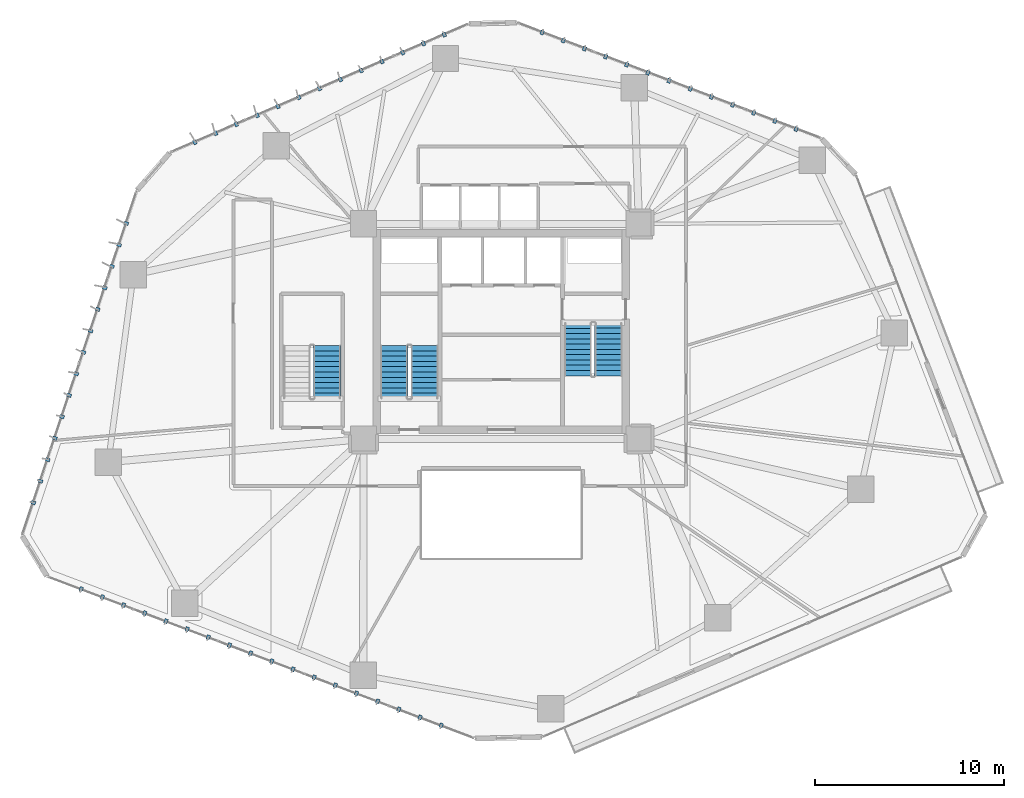
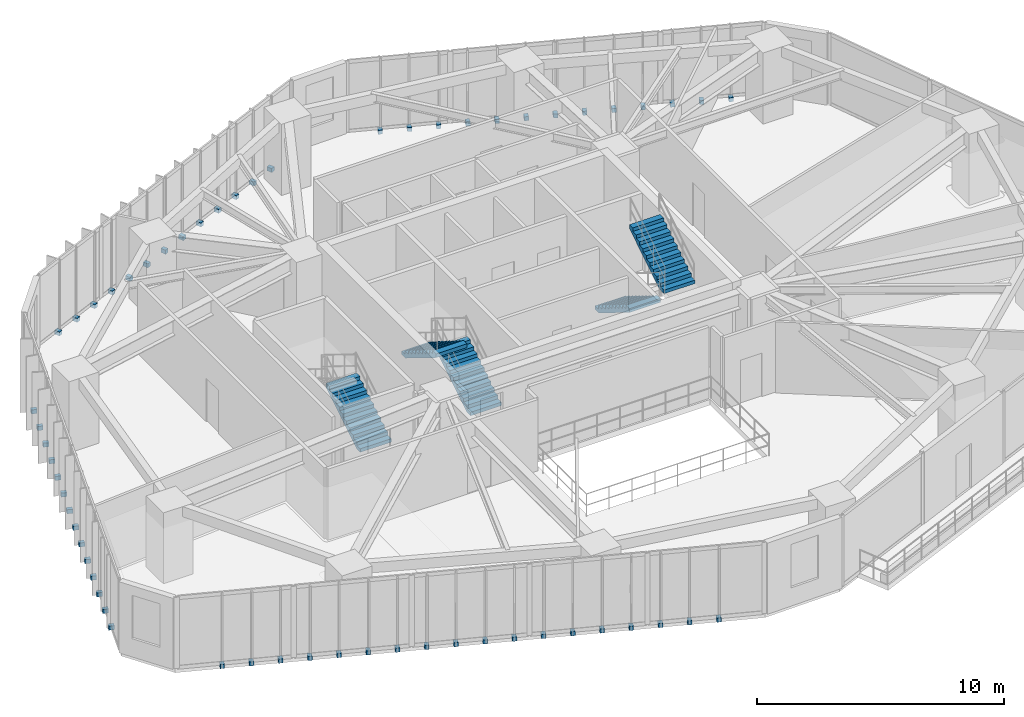
# One storey, part 20 of 23: 58 discrete accessories, 5 stair flights, 3 elements without a shape of their own.
"""IFC4 building model written with IfcOpenShell, lengths in metres."""

from ifc_helpers import new_model, si_unit, direction, frame, origin, origin_2d, place, context, subcontext, project, spatial, polyline, rectangle, outline, extrude, source, transform, mapped, material, layer, layer_set, type_object, type_shapes, element, aggregate, save


model = new_model("IFC4")

# Units and contexts
model_context = context("Model", 3, precision=1e-05, world=origin(), true_north=direction((0.0, 1.0)))
body_context = subcontext(model_context, "Body", "Model", "MODEL_VIEW")
ifc_project = project(units=[si_unit("LENGTHUNIT", "METRE"), si_unit("AREAUNIT", "SQUARE_METRE"), si_unit("VOLUMEUNIT", "CUBIC_METRE"), si_unit("PLANEANGLEUNIT", "RADIAN"), si_unit("MASSUNIT", "GRAM", prefix="KILO")], contexts=[model_context])

# Site, building, storey
site_placement = place(None, origin())
site = spatial("IfcSite", under=ifc_project, at=site_placement, CompositionType="ELEMENT")
building_placement = place(site_placement, origin())
building = spatial("IfcBuilding", under=site, at=building_placement, Name="Talar Marvaseh", CompositionType="ELEMENT")
storey_placement = place(building_placement, frame((0.0, 0.0, 27.800048828125)))
storey = spatial("IfcBuildingStorey", under=building, at=storey_placement, Name="L06", CompositionType="ELEMENT", Elevation=27.800048828125)

# Stair, stair flights
ifc_material_1 = material(Name="Concrete C40/50", Category="concrete")
stair_type = type_object("IfcStairType", Name="Reinforced Concrete Half-Turn Exit Stair Type B", PredefinedType="HALF_TURN_STAIR", material=ifc_material_1)
stair_1_placement = place(storey_placement, origin())
stair_1 = element("IfcStair", 1, at=stair_1_placement, inside=storey, type_object=stair_type, Name="L06 Tower West Core Exit Stair", PredefinedType="HALF_TURN_STAIR")
ifc_layer = layer(ifc_material_1, 0.159912109375)
ifc_layer_set = layer_set([ifc_layer], Name="Concrete C40/50")
stair_flight_type = type_object("IfcStairFlightType", Name="Reinforced Concrete Straight Stair Flight 160", PredefinedType="STRAIGHT", material=ifc_layer_set)
stair_flight_1_placement = place(storey_placement, frame((21.93505859375, 27.64990234375, 0.0), z_axis=(0.0, 0.0, 1.0), x_axis=(0.0, 1.0, 0.0)))
stair_flight_1 = element("IfcStairFlight", 2, at=stair_flight_1_placement, type_object=stair_flight_type, Name="ST-1 flight 1", NumberOfRisers=11, NumberOfTreads=10, PredefinedType="STRAIGHT", RiserHeight=0.172727273, TreadLength=0.28, context=body_context, shape_type="SweptSolid", body=[
    extrude(outline(polyline([(0.0, 0.0), (0.0, 0.172607421875), (0.280029296875, 0.172607421875), (0.280029296875, 0.345458984375), (0.56005859375, 0.345458984375), (0.56005859375, 0.51806640625), (0.840087890625, 0.51806640625), (0.840087890625, 0.69091796875), (1.1201171875, 0.69091796875), (1.1201171875, 0.863525390625), (1.39990234375, 0.863525390625), (1.39990234375, 1.036376953125), (1.679931640625, 1.036376953125), (1.679931640625, 1.208984375), (1.9599609375, 1.208984375), (1.9599609375, 1.3818359375), (2.239990234375, 1.3818359375), (2.239990234375, 1.554443359375), (2.52001953125, 1.554443359375), (2.52001953125, 1.727294921875), (2.800048828125, 1.727294921875), (2.800048828125, 1.89990234375), (2.800048828125, 1.539306640625), (0.3046875, 0.0), (0.0, 0.0)])), frame((0.0, 0.72509765625, 0.0), z_axis=(0.0, -1.0, 0.0), x_axis=(1.0, 0.0, 0.0)), (0.0, 0.0, 1.0), 1.449951171875),
])
stair_flight_2_placement = place(storey_placement, frame((20.324951171875, 30.449951171875, 1.89990234375), z_axis=(0.0, 0.0, 1.0), x_axis=(0.0, -1.0, 0.0)))
stair_flight_2 = element("IfcStairFlight", 3, at=stair_flight_2_placement, type_object=stair_flight_type, Name="ST-1 flight 2", NumberOfRisers=11, NumberOfTreads=10, PredefinedType="STRAIGHT", RiserHeight=0.172727273, TreadLength=0.28, context=body_context, shape_type="SweptSolid", body=[
    extrude(outline(polyline([(0.0, 0.0), (0.0, 0.172607421875), (0.280029296875, 0.172607421875), (0.280029296875, 0.345458984375), (0.56005859375, 0.345458984375), (0.56005859375, 0.51806640625), (0.840087890625, 0.51806640625), (0.840087890625, 0.69091796875), (1.1201171875, 0.69091796875), (1.1201171875, 0.863525390625), (1.39990234375, 0.863525390625), (1.39990234375, 1.036376953125), (1.679931640625, 1.036376953125), (1.679931640625, 1.208984375), (1.9599609375, 1.208984375), (1.9599609375, 1.3818359375), (2.239990234375, 1.3818359375), (2.239990234375, 1.554443359375), (2.52001953125, 1.554443359375), (2.52001953125, 1.727294921875), (2.800048828125, 1.727294921875), (2.800048828125, 1.89990234375), (2.800048828125, 1.539306640625), (0.3046875, 0.0), (0.0, 0.0)])), frame((0.0, 0.72509765625, 0.0), z_axis=(0.0, -1.0, 0.0), x_axis=(1.0, 0.0, 0.0)), (0.0, 0.0, 1.0), 1.449951171875),
])
aggregate(stair_1, [stair_flight_1, stair_flight_2])

stair_2_placement = place(storey_placement, origin())
stair_2 = element("IfcStair", 4, at=stair_2_placement, inside=storey, type_object=stair_type, Name="L06 Tower East Core Exit Stair", PredefinedType="HALF_TURN_STAIR")
stair_flight_3_placement = place(storey_placement, frame((30.06494140625, 31.64990234375, 0.0), z_axis=(0.0, 0.0, 1.0), x_axis=(0.0, -1.0, 0.0)))
stair_flight_3 = element("IfcStairFlight", 5, at=stair_flight_3_placement, type_object=stair_flight_type, Name="ST-2 flight 1", NumberOfRisers=11, NumberOfTreads=10, PredefinedType="STRAIGHT", RiserHeight=0.172727273, TreadLength=0.28, context=body_context, shape_type="SweptSolid", body=[
    extrude(outline(polyline([(0.0, 0.0), (0.0, 0.172607421875), (0.280029296875, 0.172607421875), (0.280029296875, 0.345458984375), (0.56005859375, 0.345458984375), (0.56005859375, 0.51806640625), (0.840087890625, 0.51806640625), (0.840087890625, 0.69091796875), (1.1201171875, 0.69091796875), (1.1201171875, 0.863525390625), (1.39990234375, 0.863525390625), (1.39990234375, 1.036376953125), (1.679931640625, 1.036376953125), (1.679931640625, 1.208984375), (1.9599609375, 1.208984375), (1.9599609375, 1.3818359375), (2.239990234375, 1.3818359375), (2.239990234375, 1.554443359375), (2.52001953125, 1.554443359375), (2.52001953125, 1.727294921875), (2.800048828125, 1.727294921875), (2.800048828125, 1.89990234375), (2.800048828125, 1.539306640625), (0.3046875, 0.0), (0.0, 0.0)])), frame((0.0, 0.72509765625, 0.0), z_axis=(0.0, -1.0, 0.0), x_axis=(1.0, 0.0, 0.0)), (0.0, 0.0, 1.0), 1.449951171875),
])
stair_flight_4_placement = place(storey_placement, frame((31.675048828125, 28.85009765625, 1.89990234375), z_axis=(0.0, 0.0, 1.0), x_axis=(0.0, 1.0, 0.0)))
stair_flight_4 = element("IfcStairFlight", 6, at=stair_flight_4_placement, type_object=stair_flight_type, Name="ST-2 flight 2", NumberOfRisers=11, NumberOfTreads=10, PredefinedType="STRAIGHT", RiserHeight=0.172727273, TreadLength=0.28, context=body_context, shape_type="SweptSolid", body=[
    extrude(outline(polyline([(0.0, 0.0), (0.0, 0.172607421875), (0.280029296875, 0.172607421875), (0.280029296875, 0.345458984375), (0.56005859375, 0.345458984375), (0.56005859375, 0.51806640625), (0.840087890625, 0.51806640625), (0.840087890625, 0.69091796875), (1.1201171875, 0.69091796875), (1.1201171875, 0.863525390625), (1.39990234375, 0.863525390625), (1.39990234375, 1.036376953125), (1.679931640625, 1.036376953125), (1.679931640625, 1.208984375), (1.9599609375, 1.208984375), (1.9599609375, 1.3818359375), (2.239990234375, 1.3818359375), (2.239990234375, 1.554443359375), (2.52001953125, 1.554443359375), (2.52001953125, 1.727294921875), (2.800048828125, 1.727294921875), (2.800048828125, 1.89990234375), (2.800048828125, 1.539306640625), (0.3046875, 0.0), (0.0, 0.0)])), frame((0.0, 0.72509765625, 0.0), z_axis=(0.0, -1.0, 0.0), x_axis=(1.0, 0.0, 0.0)), (0.0, 0.0, 1.0), 1.449951171875),
])
aggregate(stair_2, [stair_flight_3, stair_flight_4])

# Stair, stair flight
stair_3_placement = place(storey_placement, origin())
stair_3 = element("IfcStair", 7, at=stair_3_placement, inside=storey, type_object=stair_type, Name="L06 Museum & Podium Auxiliary Exit Stair", PredefinedType="HALF_TURN_STAIR")
stair_flight_5_placement = place(storey_placement, frame((16.77490234375, 27.64990234375, 0.0), z_axis=(0.0, 0.0, 1.0), x_axis=(0.0, 1.0, 0.0)))
stair_flight_5 = element("IfcStairFlight", 8, at=stair_flight_5_placement, type_object=stair_flight_type, Name="ST-3 flight 1", NumberOfRisers=11, NumberOfTreads=10, PredefinedType="STRAIGHT", RiserHeight=0.172727273, TreadLength=0.28, context=body_context, shape_type="SweptSolid", body=[
    extrude(outline(polyline([(0.0, 0.0), (0.0, 0.172607421875), (0.280029296875, 0.172607421875), (0.280029296875, 0.345458984375), (0.56005859375, 0.345458984375), (0.56005859375, 0.51806640625), (0.840087890625, 0.51806640625), (0.840087890625, 0.69091796875), (1.1201171875, 0.69091796875), (1.1201171875, 0.863525390625), (1.39990234375, 0.863525390625), (1.39990234375, 1.036376953125), (1.679931640625, 1.036376953125), (1.679931640625, 1.208984375), (1.9599609375, 1.208984375), (1.9599609375, 1.3818359375), (2.239990234375, 1.3818359375), (2.239990234375, 1.554443359375), (2.52001953125, 1.554443359375), (2.52001953125, 1.727294921875), (2.800048828125, 1.727294921875), (2.800048828125, 1.89990234375), (2.800048828125, 1.539306640625), (0.3046875, 0.0), (0.0, 0.0)])), frame((0.0, 0.72509765625, 0.0), z_axis=(0.0, -1.0, 0.0), x_axis=(1.0, 0.0, 0.0)), (0.0, 0.0, 1.0), 1.449951171875),
])
aggregate(stair_3, [stair_flight_5])

# Discrete accessories
ifc_material_2 = material(Name="Stainless Steel Grade 316", Category="steel")
discrete_accessory_type = type_object("IfcDiscreteAccessoryType", Name="Stainless Slab-Edge Fin Mounting Bracket", PredefinedType="BRACKET", material=ifc_material_2)
shared_shape = source(origin(), body_context, "Body", "SweptSolid", [
    extrude(rectangle(XDim=0.239990234375, YDim=0.179931640625, at=origin_2d()), origin(), (0.0, 0.0, 1.0), 0.199951171875),
])
type_shapes(discrete_accessory_type, [shared_shape])
for number, where, z_axis, x_axis, name in (
    (9, (1.2001953125, 22.12548828125, -0.18017578125), (0.0, 0.0, 1.0), (-0.948876011644, 0.315649036947, 0.0), "L06 Vertical Fin Slab-Edge Bracket"),
    (10, (1.5791015625, 23.26416015625, -0.18017578125), (0.0, 0.0, 1.0), (-0.948876011644, 0.315649036947, 0.0), "L06 Vertical Fin Slab-Edge Bracket"),
    (11, (1.9580078125, 24.40283203125, -0.18017578125), (0.0, 0.0, 1.0), (-0.948876011644, 0.315649036947, 0.0), "L06 Vertical Fin Slab-Edge Bracket"),
    (12, (2.3369140625, 25.54150390625, -0.18017578125), (0.0, 0.0, 1.0), (-0.948876011644, 0.315649036947, 0.0), "L06 Vertical Fin Slab-Edge Bracket"),
    (13, (2.715576171875, 26.68017578125, -0.18017578125), (0.0, 0.0, 1.0), (-0.948876011644, 0.315649036947, 0.0), "L06 Vertical Fin Slab-Edge Bracket"),
    (14, (3.094482421875, 27.818603515625, -0.18017578125), (0.0, 0.0, 1.0), (-0.948876011644, 0.315649036947, 0.0), "L06 Vertical Fin Slab-Edge Bracket"),
    (15, (3.473388671875, 28.957275390625, -0.18017578125), (0.0, 0.0, 1.0), (-0.948876011644, 0.315649036947, 0.0), "L06 Vertical Fin Slab-Edge Bracket"),
    (16, (3.852294921875, 30.095947265625, -0.18017578125), (0.0, 0.0, 1.0), (-0.948876011644, 0.315649036947, 0.0), "L06 Vertical Fin Slab-Edge Bracket"),
    (17, (4.231201171875, 31.234619140625, -0.18017578125), (0.0, 0.0, 1.0), (-0.948876011644, 0.315649036947, 0.0), "L06 Vertical Fin Slab-Edge Bracket"),
    (18, (4.60986328125, 32.373291015625, -0.18017578125), (0.0, 0.0, 1.0), (-0.948876011644, 0.315649036947, 0.0), "L06 Vertical Fin Slab-Edge Bracket"),
    (19, (4.98876953125, 33.51171875, -0.18017578125), (0.0, 0.0, 1.0), (-0.948876011644, 0.315649036947, 0.0), "L06 Vertical Fin Slab-Edge Bracket"),
    (20, (5.36767578125, 34.650390625, -0.18017578125), (0.0, 0.0, 1.0), (-0.948876011644, 0.315649036947, 0.0), "L06 Vertical Fin Slab-Edge Bracket"),
    (21, (5.74658203125, 35.7890625, -0.18017578125), (0.0, 0.0, 1.0), (-0.948876011644, 0.315649036947, 0.0), "L06 Vertical Fin Slab-Edge Bracket"),
    (22, (6.12548828125, 36.927734375, -0.18017578125), (0.0, 0.0, 1.0), (-0.948876011644, 0.315649036947, 0.0), "L06 Vertical Fin Slab-Edge Bracket"),
    (23, (9.759033203125, 41.23095703125, -0.18017578125), (0.0, 0.0, 1.0), (-0.395866076726, 0.918308253964, 0.0), "L06 Vertical Fin Slab-Edge Bracket"),
    (24, (10.861083984375, 41.7060546875, -0.18017578125), (0.0, 0.0, 1.0), (-0.395866076726, 0.918308253964, 0.0), "L06 Vertical Fin Slab-Edge Bracket"),
    (25, (11.962890625, 42.180908203125, -0.18017578125), (0.0, 0.0, 1.0), (-0.395866076726, 0.918308253964, 0.0), "L06 Vertical Fin Slab-Edge Bracket"),
    (26, (13.06494140625, 42.656005859375, -0.18017578125), (0.0, 0.0, 1.0), (-0.395866076726, 0.918308253964, 0.0), "L06 Vertical Fin Slab-Edge Bracket"),
    (27, (14.1669921875, 43.131103515625, -0.18017578125), (0.0, 0.0, 1.0), (-0.395866076726, 0.918308253964, 0.0), "L06 Vertical Fin Slab-Edge Bracket"),
    (28, (15.26904296875, 43.60595703125, -0.18017578125), (0.0, 0.0, 1.0), (-0.395866076726, 0.918308253964, 0.0), "L06 Vertical Fin Slab-Edge Bracket"),
    (29, (16.37109375, 44.0810546875, -0.18017578125), (0.0, 0.0, 1.0), (-0.395866076726, 0.918308253964, 0.0), "L06 Vertical Fin Slab-Edge Bracket"),
    (30, (17.472900390625, 44.555908203125, -0.18017578125), (0.0, 0.0, 1.0), (-0.395866076726, 0.918308253964, 0.0), "L06 Vertical Fin Slab-Edge Bracket"),
    (31, (18.574951171875, 45.031005859375, -0.18017578125), (0.0, 0.0, 1.0), (-0.395866076726, 0.918308253964, 0.0), "L06 Vertical Fin Slab-Edge Bracket"),
    (32, (19.677001953125, 45.506103515625, -0.18017578125), (0.0, 0.0, 1.0), (-0.395866076726, 0.918308253964, 0.0), "L06 Vertical Fin Slab-Edge Bracket"),
    (33, (20.77880859375, 45.98095703125, -0.18017578125), (0.0, 0.0, 1.0), (-0.395866076726, 0.918308253964, 0.0), "L06 Vertical Fin Slab-Edge Bracket"),
    (34, (21.880859375, 46.4560546875, -0.18017578125), (0.0, 0.0, 1.0), (-0.395866076726, 0.918308253964, 0.0), "L06 Vertical Fin Slab-Edge Bracket"),
    (35, (22.98291015625, 46.930908203125, -0.18017578125), (0.0, 0.0, 1.0), (-0.395866076726, 0.918308253964, 0.0), "L06 Vertical Fin Slab-Edge Bracket"),
    (36, (28.166748046875, 47.044189453125, -0.18017578125), (0.0, 0.0, 1.0), (0.355433256487, 0.934701663732, 0.0), "L06 Vertical Fin Slab-Edge Bracket"),
    (37, (29.288330078125, 46.61767578125, -0.18017578125), (0.0, 0.0, 1.0), (0.355433256487, 0.934701663732, 0.0), "L06 Vertical Fin Slab-Edge Bracket"),
    (38, (30.409912109375, 46.191162109375, -0.18017578125), (0.0, 0.0, 1.0), (0.355433256487, 0.934701663732, 0.0), "L06 Vertical Fin Slab-Edge Bracket"),
    (39, (31.531494140625, 45.7646484375, -0.18017578125), (0.0, 0.0, 1.0), (0.355433256487, 0.934701663732, 0.0), "L06 Vertical Fin Slab-Edge Bracket"),
    (40, (32.6533203125, 45.338134765625, -0.18017578125), (0.0, 0.0, 1.0), (0.355433256487, 0.934701663732, 0.0), "L06 Vertical Fin Slab-Edge Bracket"),
    (41, (33.77490234375, 44.91162109375, -0.18017578125), (0.0, 0.0, 1.0), (0.355433256487, 0.934701663732, 0.0), "L06 Vertical Fin Slab-Edge Bracket"),
    (42, (34.896484375, 44.485107421875, -0.18017578125), (0.0, 0.0, 1.0), (0.355433256487, 0.934701663732, 0.0), "L06 Vertical Fin Slab-Edge Bracket"),
    (43, (36.018310546875, 44.05859375, -0.18017578125), (0.0, 0.0, 1.0), (0.355433256487, 0.934701663732, 0.0), "L06 Vertical Fin Slab-Edge Bracket"),
    (44, (37.139892578125, 43.632080078125, -0.18017578125), (0.0, 0.0, 1.0), (0.355433256487, 0.934701663732, 0.0), "L06 Vertical Fin Slab-Edge Bracket"),
    (45, (38.26171875, 43.205810546875, -0.18017578125), (0.0, 0.0, 1.0), (0.355433256487, 0.934701663732, 0.0), "L06 Vertical Fin Slab-Edge Bracket"),
    (46, (39.38330078125, 42.779296875, -0.18017578125), (0.0, 0.0, 1.0), (0.355433256487, 0.934701663732, 0.0), "L06 Vertical Fin Slab-Edge Bracket"),
    (47, (40.5048828125, 42.352783203125, -0.18017578125), (0.0, 0.0, 1.0), (0.355433256487, 0.934701663732, 0.0), "L06 Vertical Fin Slab-Edge Bracket"),
    (48, (41.626708984375, 41.92626953125, -0.18017578125), (0.0, 0.0, 1.0), (0.355433256487, 0.934701663732, 0.0), "L06 Vertical Fin Slab-Edge Bracket"),
    (49, (22.81689453125, 10.31982421875, -0.18017578125), (0.0, 0.0, 1.0), (-0.354127820719, -0.935197030894, 0.0), "L06 Vertical Fin Slab-Edge Bracket"),
    (50, (21.694580078125, 10.744873046875, -0.18017578125), (0.0, 0.0, 1.0), (-0.354127820719, -0.935197030894, 0.0), "L06 Vertical Fin Slab-Edge Bracket"),
    (51, (20.572509765625, 11.169921875, -0.18017578125), (0.0, 0.0, 1.0), (-0.354127820719, -0.935197030894, 0.0), "L06 Vertical Fin Slab-Edge Bracket"),
    (52, (19.4501953125, 11.5947265625, -0.18017578125), (0.0, 0.0, 1.0), (-0.354127820719, -0.935197030894, 0.0), "L06 Vertical Fin Slab-Edge Bracket"),
    (53, (18.327880859375, 12.019775390625, -0.18017578125), (0.0, 0.0, 1.0), (-0.354127820719, -0.935197030894, 0.0), "L06 Vertical Fin Slab-Edge Bracket"),
    (54, (17.205810546875, 12.44482421875, -0.18017578125), (0.0, 0.0, 1.0), (-0.354127820719, -0.935197030894, 0.0), "L06 Vertical Fin Slab-Edge Bracket"),
    (55, (16.08349609375, 12.869873046875, -0.18017578125), (0.0, 0.0, 1.0), (-0.354127820719, -0.935197030894, 0.0), "L06 Vertical Fin Slab-Edge Bracket"),
    (56, (14.961181640625, 13.294677734375, -0.18017578125), (0.0, 0.0, 1.0), (-0.354127820719, -0.935197030894, 0.0), "L06 Vertical Fin Slab-Edge Bracket"),
    (57, (13.839111328125, 13.7197265625, -0.18017578125), (0.0, 0.0, 1.0), (-0.354127820719, -0.935197030894, 0.0), "L06 Vertical Fin Slab-Edge Bracket"),
    (58, (12.716796875, 14.144775390625, -0.18017578125), (0.0, 0.0, 1.0), (-0.354127820719, -0.935197030894, 0.0), "L06 Vertical Fin Slab-Edge Bracket"),
    (59, (11.594482421875, 14.569580078125, -0.18017578125), (0.0, 0.0, 1.0), (-0.354127820719, -0.935197030894, 0.0), "L06 Vertical Fin Slab-Edge Bracket"),
    (60, (10.472412109375, 14.99462890625, -0.18017578125), (0.0, 0.0, 1.0), (-0.354127820719, -0.935197030894, 0.0), "L06 Vertical Fin Slab-Edge Bracket"),
    (61, (9.35009765625, 15.419677734375, -0.18017578125), (0.0, 0.0, 1.0), (-0.354127820719, -0.935197030894, 0.0), "L06 Vertical Fin Slab-Edge Bracket"),
    (62, (8.22802734375, 15.844482421875, -0.18017578125), (0.0, 0.0, 1.0), (-0.354127820719, -0.935197030894, 0.0), "L06 Vertical Fin Slab-Edge Bracket"),
    (63, (7.105712890625, 16.26953125, -0.18017578125), (0.0, 0.0, 1.0), (-0.354127820719, -0.935197030894, 0.0), "L06 Vertical Fin Slab-Edge Bracket"),
    (64, (5.9833984375, 16.694580078125, -0.18017578125), (0.0, 0.0, 1.0), (-0.354127820719, -0.935197030894, 0.0), "L06 Vertical Fin Slab-Edge Bracket"),
    (65, (4.861328125, 17.119384765625, -0.18017578125), (0.0, 0.0, 1.0), (-0.354127820719, -0.935197030894, 0.0), "L06 Vertical Fin Slab-Edge Bracket"),
    (66, (3.739013671875, 17.54443359375, -0.18017578125), (0.0, 0.0, 1.0), (-0.354127820719, -0.935197030894, 0.0), "L06 Vertical Fin Slab-Edge Bracket"),
):
    element("IfcDiscreteAccessory", number, at=place(storey_placement, frame(where, z_axis=z_axis, x_axis=x_axis)), inside=storey, type_object=discrete_accessory_type, Name=name, PredefinedType="BRACKET", context=body_context, shape_type="MappedRepresentation", body=[
        mapped(shared_shape, transform((0.0, 0.0, 0.0), x_axis=(1.0, 0.0, 0.0), y_axis=(0.0, 1.0, 0.0), z_axis=(0.0, 0.0, 1.0), scale=1.0)),
    ])

save(model, "model.ifc")
